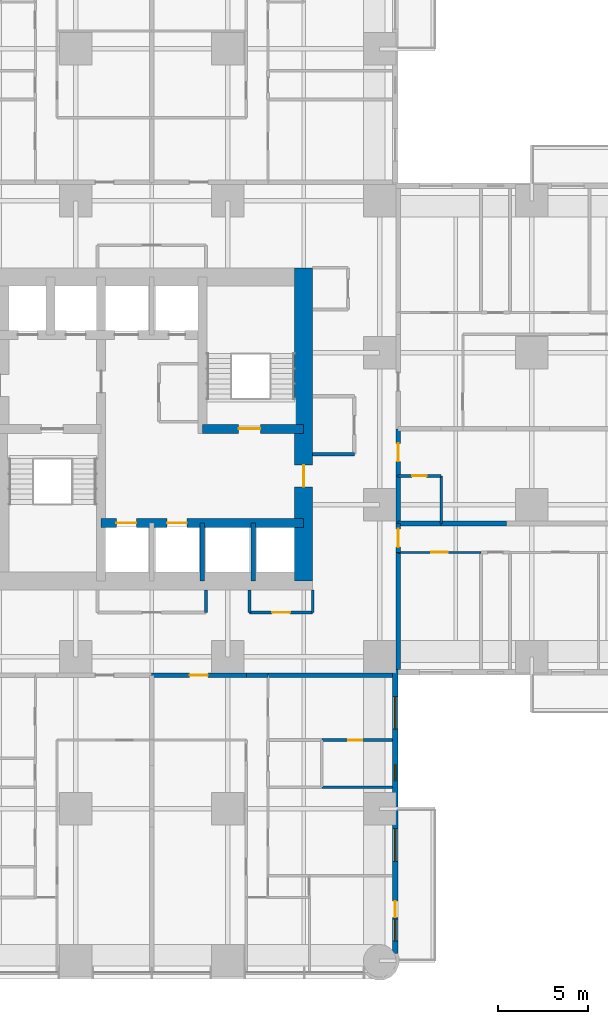
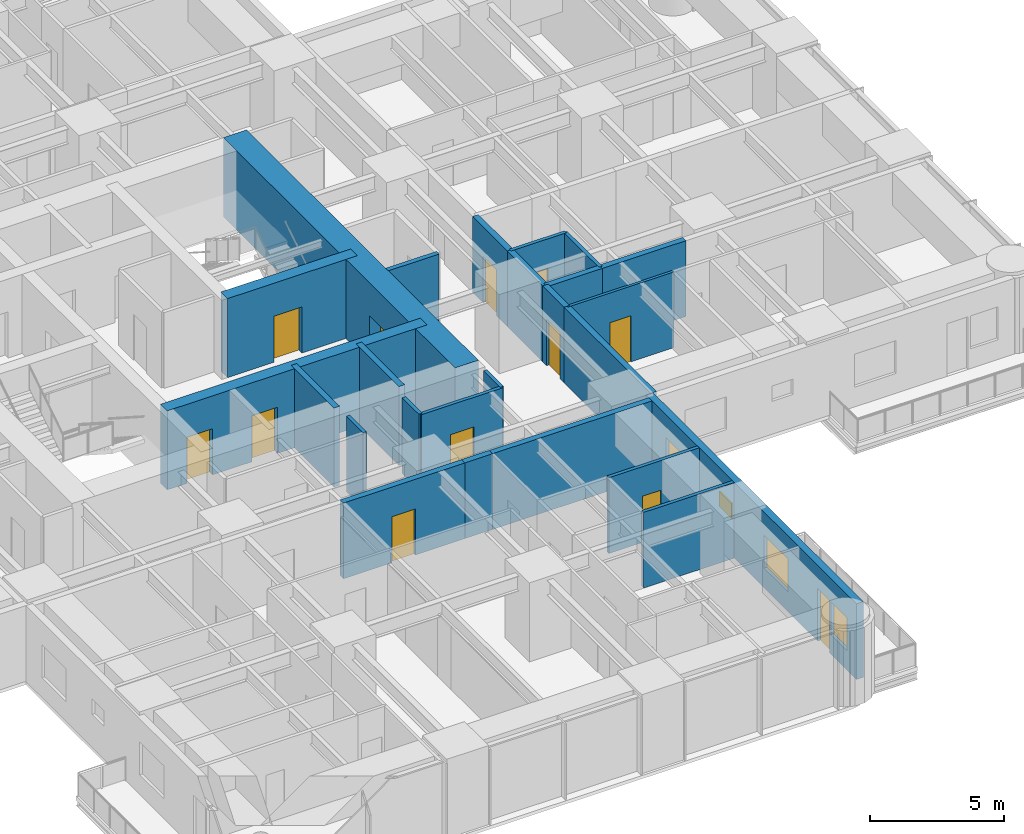
# One storey, part 10 of 17: 25 walls, 12 doors, 4 windows, 16 openings.
"""IFC4 building model written with IfcOpenShell, lengths in metres."""

from ifc_helpers import new_model, si_unit, direction, frame, frame_2d, origin, place, context, subcontext, project, spatial, rectangle, extrude, material, layer, layer_set, type_object, element, fill, save


model = new_model("IFC4")

# Units and contexts
model_context = context("Model", 3, precision=1e-05, world=origin(), true_north=direction((0.0, 1.0)))
body_context = subcontext(model_context, "Body", "Model", "MODEL_VIEW")
ifc_project = project(units=[si_unit("LENGTHUNIT", "METRE"), si_unit("AREAUNIT", "SQUARE_METRE"), si_unit("VOLUMEUNIT", "CUBIC_METRE"), si_unit("PLANEANGLEUNIT", "RADIAN"), si_unit("MASSUNIT", "GRAM", prefix="KILO")], contexts=[model_context])

# Site, building, storey
site_placement = place(None, origin())
site = spatial("IfcSite", under=ifc_project, at=site_placement, CompositionType="ELEMENT")
building_placement = place(site_placement, origin())
building = spatial("IfcBuilding", under=site, at=building_placement, Name="Torre Alcanfor", CompositionType="ELEMENT")
storey_placement = place(building_placement, frame((0.0, 0.0, 56.10009765625)))
storey = spatial("IfcBuildingStorey", under=building, at=storey_placement, Name="L13", CompositionType="ELEMENT", Elevation=56.10009765625)

# Wall, opening, door
ifc_material_1 = material(Name="Concrete block masonry, hollow blocks NMX-C-404 9 MPa", Category="masonry")
ifc_layer_1 = layer(ifc_material_1, 0.25)
ifc_layer_set_1 = layer_set([ifc_layer_1], Name="Apartment entrance wall 250 EI 60")
wall_type_1 = type_object("IfcWallType", Name="Apartment entrance wall 250 EI 60", PredefinedType="PARTITIONING", material=ifc_layer_set_1)
wall_1_placement = place(storey_placement, frame((43.02490234375, 29.39990234375, 0.0), z_axis=(0.0, 0.0, 1.0), x_axis=(0.0, -1.0, 0.0)))
wall_1 = element("IfcWall", 1, at=wall_1_placement, inside=storey, type_object=wall_type_1, Name="Partition L13-CORR / L13-E2A-FOYER", PredefinedType="PARTITIONING", context=body_context, shape_type="SweptSolid", body=[
    extrude(rectangle(XDim=2.599853515625, YDim=0.25, at=frame_2d((1.2998046875, 0.0))), origin(), (0.0, 0.0, 1.0), 3.449951171875),
])
opening_1_placement = place(wall_1_placement, frame((0.800048828125, 0.0, 0.0)))
opening_1 = element("IfcOpeningElement", 2, at=opening_1_placement, cuts=wall_1, Name="Opening D-A1", PredefinedType="OPENING", context=body_context, shape_type="SweptSolid", body=[
    extrude(rectangle(XDim=1.0, YDim=2.10009765625, at=frame_2d((0.5, 1.050048828125))), frame((0.0, 0.135009765625, 0.0), z_axis=(0.0, -1.0, 0.0), x_axis=(1.0, 0.0, 0.0)), (0.0, 0.0, 1.0), 0.27001953125),
])
ifc_material_2 = material(Name="Galvanised steel sheet ASTM A653", Category="steel")
door_type_1 = type_object("IfcDoorType", Name="Apartment entrance door FD60 1000x2100", OperationType="SINGLE_SWING_LEFT", PredefinedType="DOOR", material=ifc_material_2)
door_1_placement = place(opening_1_placement, origin())
door_1 = element("IfcDoor", 3, at=door_1_placement, inside=storey, type_object=door_type_1, Name="Apartment entrance L13-E2A", OperationType="SINGLE_SWING_LEFT", OverallHeight=2.10009765625, OverallWidth=1.0, PredefinedType="DOOR", context=body_context, shape_type="SweptSolid", body=[
    extrude(rectangle(XDim=1.0, YDim=2.10009765625, at=frame_2d((0.5, 1.050048828125))), frame((0.0, 0.02490234375, 0.0), z_axis=(0.0, -1.0, 0.0), x_axis=(1.0, 0.0, 0.0)), (0.0, 0.0, 1.0), 0.050048828125),
])
fill(opening_1, door_1)

# Wall
wall_2_placement = place(storey_placement, frame((43.02490234375, 26.800048828125, 0.0), z_axis=(0.0, 0.0, 1.0), x_axis=(0.0, -1.0, 0.0)))
element("IfcWall", 4, at=wall_2_placement, inside=storey, type_object=wall_type_1, Name="Partition L13-CORR / L13-E2A-BATH", PredefinedType="PARTITIONING", context=body_context, shape_type="SweptSolid", body=[
    extrude(rectangle(XDim=2.629150390625, YDim=0.25, at=frame_2d((1.314453125, 0.0))), origin(), (0.0, 0.0, 1.0), 3.449951171875),
])

# Wall, opening, door
wall_3_placement = place(storey_placement, frame((43.02490234375, 24.1708984375, 0.0), z_axis=(0.0, 0.0, 1.0), x_axis=(0.0, -1.0, 0.0)))
wall_3 = element("IfcWall", 5, at=wall_3_placement, inside=storey, type_object=wall_type_1, Name="Partition L13-CORR / L13-E2B-HALL", PredefinedType="PARTITIONING", context=body_context, shape_type="SweptSolid", body=[
    extrude(rectangle(XDim=1.599853515625, YDim=0.25, at=frame_2d((0.7998046875, 0.0))), origin(), (0.0, 0.0, 1.0), 3.449951171875),
])
opening_2_placement = place(wall_3_placement, frame((0.300048828125, 0.0, 0.0)))
opening_2 = element("IfcOpeningElement", 6, at=opening_2_placement, cuts=wall_3, Name="Opening D-A1", PredefinedType="OPENING", context=body_context, shape_type="SweptSolid", body=[
    extrude(rectangle(XDim=1.0, YDim=2.10009765625, at=frame_2d((0.5, 1.050048828125))), frame((0.0, 0.135009765625, 0.0), z_axis=(0.0, -1.0, 0.0), x_axis=(1.0, 0.0, 0.0)), (0.0, 0.0, 1.0), 0.27001953125),
])
door_2_placement = place(opening_2_placement, origin())
door_2 = element("IfcDoor", 7, at=door_2_placement, inside=storey, type_object=door_type_1, Name="Apartment entrance L13-E2B", OperationType="SINGLE_SWING_LEFT", OverallHeight=2.10009765625, OverallWidth=1.0, PredefinedType="DOOR", context=body_context, shape_type="SweptSolid", body=[
    extrude(rectangle(XDim=1.0, YDim=2.10009765625, at=frame_2d((0.5, 1.050048828125))), frame((0.0, 0.02490234375, 0.0), z_axis=(0.0, -1.0, 0.0), x_axis=(1.0, 0.0, 0.0)), (0.0, 0.0, 1.0), 0.050048828125),
])
fill(opening_2, door_2)

# Wall
wall_4_placement = place(storey_placement, frame((43.02490234375, 22.571044921875, 0.0), z_axis=(0.0, 0.0, 1.0), x_axis=(0.0, -1.0, 0.0)))
element("IfcWall", 8, at=wall_4_placement, inside=storey, type_object=wall_type_1, Name="Partition L13-CORR / L13-E2B-BED2", PredefinedType="PARTITIONING", context=body_context, shape_type="SweptSolid", body=[
    extrude(rectangle(XDim=6.470947265625, YDim=0.25, at=frame_2d((3.2353515625, 0.0))), origin(), (0.0, 0.0, 1.0), 3.449951171875),
])

# Wall, opening, door
wall_5_placement = place(storey_placement, frame((34.62890625, 15.77490234375, 0.0), z_axis=(0.0, 0.0, 1.0), x_axis=(-1.0, 0.0, 0.0)))
wall_5 = element("IfcWall", 9, at=wall_5_placement, inside=storey, type_object=wall_type_1, Name="Partition L13-CORR / L13-S1-ZAG", PredefinedType="PARTITIONING", context=body_context, shape_type="SweptSolid", body=[
    extrude(rectangle(XDim=5.22900390625, YDim=0.25, at=frame_2d((2.614501953125, 0.0))), origin(), (0.0, 0.0, 1.0), 3.449951171875),
])
opening_3_placement = place(wall_5_placement, frame((2.12890625, 0.0, 0.0)))
opening_3 = element("IfcOpeningElement", 10, at=opening_3_placement, cuts=wall_5, Name="Opening D-A1", PredefinedType="OPENING", context=body_context, shape_type="SweptSolid", body=[
    extrude(rectangle(XDim=1.0, YDim=2.10009765625, at=frame_2d((0.5, 1.050048828125))), frame((0.0, 0.135009765625, 0.0), z_axis=(0.0, -1.0, 0.0), x_axis=(1.0, 0.0, 0.0)), (0.0, 0.0, 1.0), 0.27001953125),
])
door_3_placement = place(opening_3_placement, origin())
door_3 = element("IfcDoor", 11, at=door_3_placement, inside=storey, type_object=door_type_1, Name="Apartment entrance L13-S1", OperationType="SINGLE_SWING_RIGHT", OverallHeight=2.10009765625, OverallWidth=1.0, PredefinedType="DOOR", context=body_context, shape_type="SweptSolid", body=[
    extrude(rectangle(XDim=1.0, YDim=2.10009765625, at=frame_2d((0.5, 1.050048828125))), frame((0.0, 0.02490234375, 0.0), z_axis=(0.0, -1.0, 0.0), x_axis=(1.0, 0.0, 0.0)), (0.0, 0.0, 1.0), 0.050048828125),
])
fill(opening_3, door_3)

# Walls
wall_6_placement = place(storey_placement, frame((35.8291015625, 15.77490234375, 0.0), z_axis=(0.0, 0.0, 1.0), x_axis=(-1.0, 0.0, 0.0)))
element("IfcWall", 12, at=wall_6_placement, inside=storey, type_object=wall_type_1, Name="Partition L13-CORR / L13-S1-HALL", PredefinedType="PARTITIONING", context=body_context, shape_type="SweptSolid", body=[
    extrude(rectangle(XDim=1.2001953125, YDim=0.25, at=frame_2d((0.60009765625, 0.0))), origin(), (0.0, 0.0, 1.0), 3.449951171875),
])
wall_7_placement = place(storey_placement, frame((42.699951171875, 15.77490234375, 0.0), z_axis=(0.0, 0.0, 1.0), x_axis=(-1.0, 0.0, 0.0)))
element("IfcWall", 13, at=wall_7_placement, inside=storey, type_object=wall_type_1, Name="Partition L13-CORR / L13-S1-SERV", PredefinedType="PARTITIONING", context=body_context, shape_type="SweptSolid", body=[
    extrude(rectangle(XDim=6.870849609375, YDim=0.25, at=frame_2d((3.435546875, 0.0))), origin(), (0.0, 0.0, 1.0), 3.449951171875),
])

# Wall, opening, door
ifc_material_3 = material(Name="Gypsum board on steel studs", Category="steel")
ifc_layer_2 = layer(ifc_material_3, 0.1201171875)
ifc_layer_set_2 = layer_set([ifc_layer_2], Name="Apartment partition 120")
wall_type_2 = type_object("IfcWallType", Name="Apartment partition 120", PredefinedType="PARTITIONING", material=ifc_layer_set_2)
wall_8_placement = place(storey_placement, frame((47.60009765625, 22.571044921875, 0.0), z_axis=(0.0, 0.0, 1.0), x_axis=(-1.0, 0.0, 0.0)))
wall_8 = element("IfcWall", 14, at=wall_8_placement, inside=storey, type_object=wall_type_2, Name="Partition L13-E2B-HALL / L13-E2B-BED2", PredefinedType="PARTITIONING", context=body_context, shape_type="SweptSolid", body=[
    extrude(rectangle(XDim=4.5751953125, YDim=0.1201171875, at=frame_2d((2.28759765625, 0.0))), origin(), (0.0, 0.0, 1.0), 3.449951171875),
])
opening_4_placement = place(wall_8_placement, frame((1.85009765625, 0.0, 0.0)))
opening_4 = element("IfcOpeningElement", 15, at=opening_4_placement, cuts=wall_8, Name="Opening D-R1", PredefinedType="OPENING", context=body_context, shape_type="SweptSolid", body=[
    extrude(rectangle(XDim=0.89990234375, YDim=2.10009765625, at=frame_2d((0.449951171875, 1.050048828125))), frame((0.0, 0.070068359375, 0.0), z_axis=(0.0, -1.0, 0.0), x_axis=(1.0, 0.0, 0.0)), (0.0, 0.0, 1.0), 0.14013671875),
])
ifc_material_4 = material(Name="Timber", Category="wood")
door_type_2 = type_object("IfcDoorType", Name="Internal door 900x2100", OperationType="SINGLE_SWING_LEFT", PredefinedType="DOOR", material=ifc_material_4)
door_4_placement = place(opening_4_placement, origin())
door_4 = element("IfcDoor", 16, at=door_4_placement, inside=storey, type_object=door_type_2, Name="Door L13-E2B bed2", OperationType="SINGLE_SWING_RIGHT", OverallHeight=2.10009765625, OverallWidth=0.89990234375, PredefinedType="DOOR", context=body_context, shape_type="SweptSolid", body=[
    extrude(rectangle(XDim=0.89990234375, YDim=2.10009765625, at=frame_2d((0.449951171875, 1.050048828125))), frame((0.0, 0.02490234375, 0.0), z_axis=(0.0, -1.0, 0.0), x_axis=(1.0, 0.0, 0.0)), (0.0, 0.0, 1.0), 0.050048828125),
])
fill(opening_4, door_4)

# Wall, openings, doors
ifc_material_5 = material(Name="Concrete f'c 70 MPa", Category="concrete")
ifc_layer_3 = layer(ifc_material_5, 0.5)
ifc_layer_set_3 = layer_set([ifc_layer_3], Name="Core inner wall 500 f'c70")
wall_type_3 = type_object("IfcWallType", Name="Core inner wall 500 f'c70", PredefinedType="SHEAR", material=ifc_layer_set_3)
wall_9_placement = place(storey_placement, frame((26.60009765625, 24.199951171875, 0.0), z_axis=(0.0, 0.0, 1.0), x_axis=(1.0, 0.0, 0.0)))
wall_9 = element("IfcWall", 17, at=wall_9_placement, inside=storey, type_object=wall_type_3, Name="Core wall Y242 L13", PredefinedType="SHEAR", context=body_context, shape_type="SweptSolid", body=[
    extrude(rectangle(XDim=11.199951171875, YDim=0.5, at=frame_2d((5.60009765625, 0.0))), origin(), (0.0, 0.0, 1.0), 3.599853515625),
])
opening_5_placement = place(wall_9_placement, frame((0.85009765625, 0.0, 0.0)))
opening_5 = element("IfcOpeningElement", 18, at=opening_5_placement, cuts=wall_9, Name="Opening LD1", PredefinedType="OPENING", context=body_context, shape_type="SweptSolid", body=[
    extrude(rectangle(XDim=1.10009765625, YDim=2.10009765625, at=frame_2d((0.550048828125, 1.050048828125))), frame((0.0, 0.260009765625, 0.0), z_axis=(0.0, -1.0, 0.0), x_axis=(1.0, 0.0, 0.0)), (0.0, 0.0, 1.0), 0.52001953125),
])
opening_6_placement = place(wall_9_placement, frame((3.64990234375, 0.0, 0.0)))
opening_6 = element("IfcOpeningElement", 19, at=opening_6_placement, cuts=wall_9, Name="Opening LD1", PredefinedType="OPENING", context=body_context, shape_type="SweptSolid", body=[
    extrude(rectangle(XDim=1.10009765625, YDim=2.10009765625, at=frame_2d((0.550048828125, 1.050048828125))), frame((0.0, 0.260009765625, 0.0), z_axis=(0.0, -1.0, 0.0), x_axis=(1.0, 0.0, 0.0)), (0.0, 0.0, 1.0), 0.52001953125),
])
ifc_material_6 = material(Name="Galvanised steel sheet ASTM A653", Category="steel")
door_type_3 = type_object("IfcDoorType", Name="Lift landing door 1100x2100", OperationType="DOUBLE_DOOR_SLIDING", PredefinedType="DOOR", material=ifc_material_6)
door_5_placement = place(opening_5_placement, origin())
door_5 = element("IfcDoor", 20, at=door_5_placement, inside=storey, type_object=door_type_3, Name="Lift landing door PA1 L13", OperationType="DOUBLE_DOOR_SLIDING", OverallHeight=2.10009765625, OverallWidth=1.10009765625, PredefinedType="DOOR", context=body_context, shape_type="SweptSolid", body=[
    extrude(rectangle(XDim=1.10009765625, YDim=2.10009765625, at=frame_2d((0.550048828125, 1.050048828125))), frame((0.0, 0.02490234375, 0.0), z_axis=(0.0, -1.0, 0.0), x_axis=(1.0, 0.0, 0.0)), (0.0, 0.0, 1.0), 0.050048828125),
])
fill(opening_5, door_5)
door_6_placement = place(opening_6_placement, origin())
door_6 = element("IfcDoor", 21, at=door_6_placement, inside=storey, type_object=door_type_3, Name="Lift landing door PA2 L13", OperationType="DOUBLE_DOOR_SLIDING", OverallHeight=2.10009765625, OverallWidth=1.10009765625, PredefinedType="DOOR", context=body_context, shape_type="SweptSolid", body=[
    extrude(rectangle(XDim=1.10009765625, YDim=2.10009765625, at=frame_2d((0.550048828125, 1.050048828125))), frame((0.0, 0.02490234375, 0.0), z_axis=(0.0, -1.0, 0.0), x_axis=(1.0, 0.0, 0.0)), (0.0, 0.0, 1.0), 0.050048828125),
])
fill(opening_6, door_6)

# Wall, opening, door
wall_10_placement = place(storey_placement, frame((32.199951171875, 29.39990234375, 0.0), z_axis=(0.0, 0.0, 1.0), x_axis=(1.0, 0.0, 0.0)))
wall_10 = element("IfcWall", 22, at=wall_10_placement, inside=storey, type_object=wall_type_3, Name="Core wall Y294E L13", PredefinedType="SHEAR", context=body_context, shape_type="SweptSolid", body=[
    extrude(rectangle(XDim=5.60009765625, YDim=0.5, at=frame_2d((2.800048828125, 0.0))), origin(), (0.0, 0.0, 1.0), 3.599853515625),
])
opening_7_placement = place(wall_10_placement, frame((2.0, 0.0, 0.0)))
opening_7 = element("IfcOpeningElement", 23, at=opening_7_placement, cuts=wall_10, Name="Opening D-S2", PredefinedType="OPENING", context=body_context, shape_type="SweptSolid", body=[
    extrude(rectangle(XDim=1.199951171875, YDim=2.10009765625, at=frame_2d((0.60009765625, 1.050048828125))), frame((0.0, 0.260009765625, 0.0), z_axis=(0.0, -1.0, 0.0), x_axis=(1.0, 0.0, 0.0)), (0.0, 0.0, 1.0), 0.52001953125),
])
ifc_material_7 = material(Name="Galvanised steel sheet ASTM A653", Category="steel")
door_type_4 = type_object("IfcDoorType", Name="Stair enclosure door FD120 1200x2100", OperationType="SINGLE_SWING_LEFT", PredefinedType="DOOR", material=ifc_material_7)
door_7_placement = place(opening_7_placement, origin())
door_7 = element("IfcDoor", 24, at=door_7_placement, inside=storey, type_object=door_type_4, Name="Stair S2 door L13", OperationType="SINGLE_SWING_LEFT", OverallHeight=2.10009765625, OverallWidth=1.199951171875, PredefinedType="DOOR", context=body_context, shape_type="SweptSolid", body=[
    extrude(rectangle(XDim=1.199951171875, YDim=2.10009765625, at=frame_2d((0.60009765625, 1.050048828125))), frame((0.0, 0.02490234375, 0.0), z_axis=(0.0, -1.0, 0.0), x_axis=(1.0, 0.0, 0.0)), (0.0, 0.0, 1.0), 0.050048828125),
])
fill(opening_7, door_7)

# Walls
ifc_material_8 = material(Name="Concrete f'c 70 MPa", Category="concrete")
ifc_layer_4 = layer(ifc_material_8, 0.25)
ifc_layer_set_4 = layer_set([ifc_layer_4], Name="Core shaft wall 250 f'c70")
wall_type_4 = type_object("IfcWallType", Name="Core shaft wall 250 f'c70", PredefinedType="SHEAR", material=ifc_layer_set_4)
for number, where, z_axis, x_axis, name in (
    (25, (32.199951171875, 21.0, 0.0), (0.0, 0.0, 1.0), (0.0, 1.0, 0.0), "Core wall X322S L13"),
    (26, (35.0, 21.0, 0.0), (0.0, 0.0, 1.0), (0.0, 1.0, 0.0), "Core wall X350S L13"),
):
    element("IfcWall", number, at=place(storey_placement, frame(where, z_axis=z_axis, x_axis=x_axis)), inside=storey, type_object=wall_type_4, Name=name, PredefinedType="SHEAR", context=body_context, shape_type="SweptSolid", body=[
        extrude(rectangle(XDim=3.199951171875, YDim=0.25, at=frame_2d((1.60009765625, 0.0))), origin(), (0.0, 0.0, 1.0), 3.599853515625),
    ])

# Wall, opening, door
ifc_material_9 = material(Name="Concrete f'c 70 MPa", Category="concrete")
ifc_layer_5 = layer(ifc_material_9, 1.0)
ifc_layer_set_5 = layer_set([ifc_layer_5], Name="Core wall 1000 f'c70")
wall_type_5 = type_object("IfcWallType", Name="Core wall 1000 f'c70", PredefinedType="SHEAR", material=ifc_layer_set_5)
wall_11_placement = place(storey_placement, frame((37.800048828125, 21.0, 0.0), z_axis=(0.0, 0.0, 1.0), x_axis=(0.0, 1.0, 0.0)))
wall_11 = element("IfcWall", 27, at=wall_11_placement, inside=storey, type_object=wall_type_5, Name="Core wall OUT-E L13", PredefinedType="SHEAR", context=body_context, shape_type="SweptSolid", body=[
    extrude(rectangle(XDim=17.300048828125, YDim=1.0, at=frame_2d((8.64990234375, 0.0))), origin(), (0.0, 0.0, 1.0), 3.599853515625),
])
opening_8_placement = place(wall_11_placement, frame((5.199951171875, 0.0, 0.0)))
opening_8 = element("IfcOpeningElement", 28, at=opening_8_placement, cuts=wall_11, Name="Opening D-L1", PredefinedType="OPENING", context=body_context, shape_type="SweptSolid", body=[
    extrude(rectangle(XDim=1.199951171875, YDim=2.10009765625, at=frame_2d((0.60009765625, 1.050048828125))), frame((0.0, 0.510009765625, 0.0), z_axis=(0.0, -1.0, 0.0), x_axis=(1.0, 0.0, 0.0)), (0.0, 0.0, 1.0), 1.02001953125),
])
ifc_material_10 = material(Name="Galvanised steel sheet ASTM A653", Category="steel")
door_type_5 = type_object("IfcDoorType", Name="Lobby door FD120 1200x2100", OperationType="SINGLE_SWING_LEFT", PredefinedType="DOOR", material=ifc_material_10)
door_8_placement = place(opening_8_placement, origin())
door_8 = element("IfcDoor", 29, at=door_8_placement, inside=storey, type_object=door_type_5, Name="Lift lobby entrance door L13", OperationType="SINGLE_SWING_LEFT", OverallHeight=2.10009765625, OverallWidth=1.199951171875, PredefinedType="DOOR", context=body_context, shape_type="SweptSolid", body=[
    extrude(rectangle(XDim=1.199951171875, YDim=2.10009765625, at=frame_2d((0.60009765625, 1.050048828125))), frame((0.0, 0.02490234375, 0.0), z_axis=(0.0, -1.0, 0.0), x_axis=(1.0, 0.0, 0.0)), (0.0, 0.0, 1.0), 0.050048828125),
])
fill(opening_8, door_8)

# Wall, openings, door, windows
ifc_material_11 = material(Name="Limestone cladding", Category="masonry")
ifc_layer_6 = layer(ifc_material_11, 0.0400390625, Name="Facing")
ifc_material_12 = material(Name="Ventilated air cavity")
ifc_layer_7 = layer(ifc_material_12, 0.02001953125, ventilated=True, Name="Ventilated joint")
ifc_material_13 = material(Name="Mineral wool insulation", Category="insulation")
ifc_layer_8 = layer(ifc_material_13, 0.10009765625, Name="Insulation")
ifc_material_14 = material(Name="Concrete f'c 35 MPa", Category="concrete")
ifc_layer_9 = layer(ifc_material_14, 0.139892578125, Name="Backing")
ifc_layer_set_6 = layer_set([ifc_layer_6, ifc_layer_7, ifc_layer_8, ifc_layer_9], Name="External wall stone-clad 300")
wall_type_6 = type_object("IfcWallType", Name="External wall stone-clad 300", PredefinedType="SOLIDWALL", material=ifc_layer_set_6)
wall_12_placement = place(storey_placement, frame((42.85009765625, 0.39990234375, 0.0), z_axis=(0.0, 0.0, 1.0), x_axis=(0.0, 1.0, 0.0)))
wall_12 = element("IfcWall", 30, at=wall_12_placement, inside=storey, type_object=wall_type_6, Name="External wall L13 6", PredefinedType="SOLIDWALL", context=body_context, shape_type="SweptSolid", body=[
    extrude(rectangle(XDim=15.7001953125, YDim=0.300048828125, at=frame_2d((7.85009765625, 0.0))), origin(), (0.0, 0.0, 1.0), 3.449951171875),
])
opening_9_placement = place(wall_12_placement, frame((12.39990234375, 0.0, 0.89990234375)))
opening_9 = element("IfcOpeningElement", 31, at=opening_9_placement, cuts=wall_12, Name="Opening W2", PredefinedType="OPENING", context=body_context, shape_type="SweptSolid", body=[
    extrude(rectangle(XDim=1.800048828125, YDim=1.5, at=frame_2d((0.89990234375, 0.75))), frame((0.0, 0.159912109375, 0.0), z_axis=(0.0, -1.0, 0.0), x_axis=(1.0, 0.0, 0.0)), (0.0, 0.0, 1.0), 0.320068359375),
])
opening_10_placement = place(wall_12_placement, frame((9.550048828125, 0.0, 1.5)))
opening_10 = element("IfcOpeningElement", 32, at=opening_10_placement, cuts=wall_12, Name="Opening W3", PredefinedType="OPENING", context=body_context, shape_type="SweptSolid", body=[
    extrude(rectangle(XDim=0.89990234375, YDim=0.699951171875, at=frame_2d((0.449951171875, 0.35009765625))), frame((0.0, 0.159912109375, 0.0), z_axis=(0.0, -1.0, 0.0), x_axis=(1.0, 0.0, 0.0)), (0.0, 0.0, 1.0), 0.320068359375),
])
opening_11_placement = place(wall_12_placement, frame((5.10009765625, 0.0, 0.89990234375)))
opening_11 = element("IfcOpeningElement", 33, at=opening_11_placement, cuts=wall_12, Name="Opening W2", PredefinedType="OPENING", context=body_context, shape_type="SweptSolid", body=[
    extrude(rectangle(XDim=1.800048828125, YDim=1.5, at=frame_2d((0.89990234375, 0.75))), frame((0.0, 0.159912109375, 0.0), z_axis=(0.0, -1.0, 0.0), x_axis=(1.0, 0.0, 0.0)), (0.0, 0.0, 1.0), 0.320068359375),
])
opening_12_placement = place(wall_12_placement, frame((2.0, 0.0, 0.0)))
opening_12 = element("IfcOpeningElement", 34, at=opening_12_placement, cuts=wall_12, Name="Opening D-B1", PredefinedType="OPENING", context=body_context, shape_type="SweptSolid", body=[
    extrude(rectangle(XDim=0.89990234375, YDim=2.39990234375, at=frame_2d((0.449951171875, 1.199951171875))), frame((0.0, 0.159912109375, 0.0), z_axis=(0.0, -1.0, 0.0), x_axis=(1.0, 0.0, 0.0)), (0.0, 0.0, 1.0), 0.320068359375),
])
opening_13_placement = place(wall_12_placement, frame((0.699951171875, 0.0, 0.89990234375)))
opening_13 = element("IfcOpeningElement", 35, at=opening_13_placement, cuts=wall_12, Name="Opening W4", PredefinedType="OPENING", context=body_context, shape_type="SweptSolid", body=[
    extrude(rectangle(XDim=1.199951171875, YDim=1.5, at=frame_2d((0.60009765625, 0.75))), frame((0.0, 0.159912109375, 0.0), z_axis=(0.0, -1.0, 0.0), x_axis=(1.0, 0.0, 0.0)), (0.0, 0.0, 1.0), 0.320068359375),
])
ifc_material_15 = material(Name="Aluminium and glass", Category="aluminium")
door_type_6 = type_object("IfcDoorType", Name="Balcony door glazed 900x2400", OperationType="SINGLE_SWING_LEFT", PredefinedType="DOOR", material=ifc_material_15)
door_9_placement = place(opening_12_placement, origin())
door_9 = element("IfcDoor", 36, at=door_9_placement, inside=storey, type_object=door_type_6, Name="Balcony door L13-S1", OperationType="SINGLE_SWING_RIGHT", OverallHeight=2.39990234375, OverallWidth=0.89990234375, PredefinedType="DOOR", context=body_context, shape_type="SweptSolid", body=[
    extrude(rectangle(XDim=0.89990234375, YDim=2.39990234375, at=frame_2d((0.449951171875, 1.199951171875))), frame((0.0, 0.02490234375, 0.0), z_axis=(0.0, -1.0, 0.0), x_axis=(1.0, 0.0, 0.0)), (0.0, 0.0, 1.0), 0.050048828125),
])
fill(opening_12, door_9)
ifc_material_16 = material(Name="Aluminium frame with clear double glazing", Category="aluminium")
window_type_1 = type_object("IfcWindowType", Name="Window bathroom 900x700", PartitioningType="SINGLE_PANEL", PredefinedType="WINDOW", material=ifc_material_16)
window_1_placement = place(opening_10_placement, origin())
window_1 = element("IfcWindow", 37, at=window_1_placement, inside=storey, type_object=window_type_1, Name="Window W3 L13-S1", OverallHeight=0.699951171875, OverallWidth=0.89990234375, PartitioningType="SINGLE_PANEL", PredefinedType="WINDOW", context=body_context, shape_type="SweptSolid", body=[
    extrude(rectangle(XDim=0.89990234375, YDim=0.699951171875, at=frame_2d((0.449951171875, 0.35009765625))), frame((0.0, 0.030029296875, 0.0), z_axis=(0.0, -1.0, 0.0), x_axis=(1.0, 0.0, 0.0)), (0.0, 0.0, 1.0), 0.06005859375),
])
fill(opening_10, window_1)
ifc_material_17 = material(Name="Aluminium frame with clear double glazing", Category="aluminium")
window_type_2 = type_object("IfcWindowType", Name="Window bedroom 1200x1500", PartitioningType="SINGLE_PANEL", PredefinedType="WINDOW", material=ifc_material_17)
window_2_placement = place(opening_13_placement, origin())
window_2 = element("IfcWindow", 38, at=window_2_placement, inside=storey, type_object=window_type_2, Name="Window W4 L13-S1", OverallHeight=1.5, OverallWidth=1.199951171875, PartitioningType="SINGLE_PANEL", PredefinedType="WINDOW", context=body_context, shape_type="SweptSolid", body=[
    extrude(rectangle(XDim=1.199951171875, YDim=1.5, at=frame_2d((0.60009765625, 0.75))), frame((0.0, 0.030029296875, 0.0), z_axis=(0.0, -1.0, 0.0), x_axis=(1.0, 0.0, 0.0)), (0.0, 0.0, 1.0), 0.06005859375),
])
fill(opening_13, window_2)
ifc_material_18 = material(Name="Aluminium frame with clear double glazing", Category="aluminium")
window_type_3 = type_object("IfcWindowType", Name="Window bedroom 1800x1500", PartitioningType="SINGLE_PANEL", PredefinedType="WINDOW", material=ifc_material_18)
window_3_placement = place(opening_9_placement, origin())
window_3 = element("IfcWindow", 39, at=window_3_placement, inside=storey, type_object=window_type_3, Name="Window W2 L13-S1", OverallHeight=1.5, OverallWidth=1.800048828125, PartitioningType="SINGLE_PANEL", PredefinedType="WINDOW", context=body_context, shape_type="SweptSolid", body=[
    extrude(rectangle(XDim=1.800048828125, YDim=1.5, at=frame_2d((0.89990234375, 0.75))), frame((0.0, 0.030029296875, 0.0), z_axis=(0.0, -1.0, 0.0), x_axis=(1.0, 0.0, 0.0)), (0.0, 0.0, 1.0), 0.06005859375),
])
fill(opening_9, window_3)
window_4_placement = place(opening_11_placement, origin())
window_4 = element("IfcWindow", 40, at=window_4_placement, inside=storey, type_object=window_type_3, Name="Window W2 L13-S1", OverallHeight=1.5, OverallWidth=1.800048828125, PartitioningType="SINGLE_PANEL", PredefinedType="WINDOW", context=body_context, shape_type="SweptSolid", body=[
    extrude(rectangle(XDim=1.800048828125, YDim=1.5, at=frame_2d((0.89990234375, 0.75))), frame((0.0, 0.030029296875, 0.0), z_axis=(0.0, -1.0, 0.0), x_axis=(1.0, 0.0, 0.0)), (0.0, 0.0, 1.0), 0.06005859375),
])
fill(opening_11, window_4)

# Walls
ifc_material_19 = material(Name="Concrete block masonry, hollow blocks NMX-C-404 9 MPa", Category="masonry")
ifc_layer_10 = layer(ifc_material_19, 0.25)
ifc_layer_set_7 = layer_set([ifc_layer_10], Name="Party wall 250 EI 60")
wall_type_7 = type_object("IfcWallType", Name="Party wall 250 EI 60", PredefinedType="PARTITIONING", material=ifc_layer_set_7)
wall_13_placement = place(storey_placement, frame((45.39990234375, 24.1708984375, 0.0), z_axis=(0.0, 0.0, 1.0), x_axis=(-1.0, 0.0, 0.0)))
element("IfcWall", 41, at=wall_13_placement, inside=storey, type_object=wall_type_7, Name="Partition L13-E2A-BATH / L13-E2B-HALL", PredefinedType="PARTITIONING", context=body_context, shape_type="SweptSolid", body=[
    extrude(rectangle(XDim=2.375, YDim=0.25, at=frame_2d((1.1875, 0.0))), origin(), (0.0, 0.0, 1.0), 3.449951171875),
])
wall_14_placement = place(storey_placement, frame((49.0, 24.1708984375, 0.0), z_axis=(0.0, 0.0, 1.0), x_axis=(-1.0, 0.0, 0.0)))
element("IfcWall", 42, at=wall_14_placement, inside=storey, type_object=wall_type_7, Name="Partition L13-E2A-KITCHEN / L13-E2B-HALL", PredefinedType="PARTITIONING", context=body_context, shape_type="SweptSolid", body=[
    extrude(rectangle(XDim=3.60009765625, YDim=0.25, at=frame_2d((1.800048828125, 0.0))), origin(), (0.0, 0.0, 1.0), 3.449951171875),
])
ifc_material_20 = material(Name="Concrete block masonry, hollow blocks NMX-C-404 9 MPa", Category="masonry")
ifc_layer_11 = layer(ifc_material_20, 0.199951171875)
ifc_layer_set_8 = layer_set([ifc_layer_11], Name="Plant room wall 200 EI 60")
wall_type_8 = type_object("IfcWallType", Name="Plant room wall 200 EI 60", PredefinedType="PARTITIONING", material=ifc_layer_set_8)
wall_15_placement = place(storey_placement, frame((38.300048828125, 28.0, 0.0), z_axis=(0.0, 0.0, 1.0), x_axis=(1.0, 0.0, 0.0)))
element("IfcWall", 43, at=wall_15_placement, inside=storey, type_object=wall_type_8, Name="Partition L13-CORR / L13-G02", PredefinedType="PARTITIONING", context=body_context, shape_type="SweptSolid", body=[
    extrude(rectangle(XDim=2.300048828125, YDim=0.199951171875, at=frame_2d((1.14990234375, 0.0))), origin(), (0.0, 0.0, 1.0), 3.449951171875),
])
ifc_material_21 = material(Name="Concrete block masonry, hollow blocks NMX-C-404 9 MPa", Category="masonry")
ifc_layer_12 = layer(ifc_material_21, 0.14990234375)
ifc_layer_set_9 = layer_set([ifc_layer_12], Name="Residents' room partition 150")
wall_type_9 = type_object("IfcWallType", Name="Residents' room partition 150", PredefinedType="PARTITIONING", material=ifc_layer_set_9)
for number, where, z_axis, x_axis, name in (
    (44, (32.39990234375, 19.25, 0.0), (0.0, 0.0, 1.0), (0.0, 1.0, 0.0), "Partition L13-CORR / L13-G04"),
    (45, (34.800048828125, 20.5, 0.0), (0.0, 0.0, 1.0), (0.0, -1.0, 0.0), "Partition L13-CORR / L13-G05"),
):
    element("IfcWall", number, at=place(storey_placement, frame(where, z_axis=z_axis, x_axis=x_axis)), inside=storey, type_object=wall_type_9, Name=name, PredefinedType="PARTITIONING", context=body_context, shape_type="SweptSolid", body=[
        extrude(rectangle(XDim=1.25, YDim=0.14990234375, at=frame_2d((0.625, 0.0))), origin(), (0.0, 0.0, 1.0), 3.449951171875),
    ])

# Wall, opening, door
wall_16_placement = place(storey_placement, frame((34.800048828125, 19.25, 0.0), z_axis=(0.0, 0.0, 1.0), x_axis=(1.0, 0.0, 0.0)))
wall_16 = element("IfcWall", 46, at=wall_16_placement, inside=storey, type_object=wall_type_9, Name="Partition L13-CORR / L13-G05", PredefinedType="PARTITIONING", context=body_context, shape_type="SweptSolid", body=[
    extrude(rectangle(XDim=3.5, YDim=0.14990234375, at=frame_2d((1.75, 0.0))), origin(), (0.0, 0.0, 1.0), 3.449951171875),
])
opening_14_placement = place(wall_16_placement, frame((1.25, 0.0, 0.0)))
opening_14 = element("IfcOpeningElement", 47, at=opening_14_placement, cuts=wall_16, Name="Opening D-M1", PredefinedType="OPENING", context=body_context, shape_type="SweptSolid", body=[
    extrude(rectangle(XDim=1.0, YDim=2.10009765625, at=frame_2d((0.5, 1.050048828125))), frame((0.0, 0.0849609375, 0.0), z_axis=(0.0, -1.0, 0.0), x_axis=(1.0, 0.0, 0.0)), (0.0, 0.0, 1.0), 0.169921875),
])
ifc_material_22 = material(Name="Timber", Category="wood")
door_type_7 = type_object("IfcDoorType", Name="Residents' room door 1000x2100", OperationType="SINGLE_SWING_LEFT", PredefinedType="DOOR", material=ifc_material_22)
door_10_placement = place(opening_14_placement, origin())
door_10 = element("IfcDoor", 48, at=door_10_placement, inside=storey, type_object=door_type_7, Name="Door L13-G05 residents' storage lockers", OperationType="SINGLE_SWING_LEFT", OverallHeight=2.10009765625, OverallWidth=1.0, PredefinedType="DOOR", context=body_context, shape_type="SweptSolid", body=[
    extrude(rectangle(XDim=1.0, YDim=2.10009765625, at=frame_2d((0.5, 1.050048828125))), frame((0.0, 0.02490234375, 0.0), z_axis=(0.0, -1.0, 0.0), x_axis=(1.0, 0.0, 0.0)), (0.0, 0.0, 1.0), 0.050048828125),
])
fill(opening_14, door_10)

# Wall
wall_17_placement = place(storey_placement, frame((38.300048828125, 19.25, 0.0), z_axis=(0.0, 0.0, 1.0), x_axis=(0.0, 1.0, 0.0)))
element("IfcWall", 49, at=wall_17_placement, inside=storey, type_object=wall_type_9, Name="Partition L13-CORR / L13-G05", PredefinedType="PARTITIONING", context=body_context, shape_type="SweptSolid", body=[
    extrude(rectangle(XDim=1.25, YDim=0.14990234375, at=frame_2d((0.625, 0.0))), origin(), (0.0, 0.0, 1.0), 3.449951171875),
])

# Wall, opening, door
ifc_material_23 = material(Name="Cement board on steel studs", Category="steel")
ifc_layer_13 = layer(ifc_material_23, 0.14990234375)
ifc_layer_set_10 = layer_set([ifc_layer_13], Name="Wet area partition 150")
wall_type_10 = type_object("IfcWallType", Name="Wet area partition 150", PredefinedType="PARTITIONING", material=ifc_layer_set_10)
wall_18_placement = place(storey_placement, frame((45.39990234375, 26.800048828125, 0.0), z_axis=(0.0, 0.0, 1.0), x_axis=(-1.0, 0.0, 0.0)))
wall_18 = element("IfcWall", 50, at=wall_18_placement, inside=storey, type_object=wall_type_10, Name="Partition L13-E2A-FOYER / L13-E2A-BATH", PredefinedType="PARTITIONING", context=body_context, shape_type="SweptSolid", body=[
    extrude(rectangle(XDim=2.375, YDim=0.14990234375, at=frame_2d((1.1875, 0.0))), origin(), (0.0, 0.0, 1.0), 3.449951171875),
])
opening_15_placement = place(wall_18_placement, frame((0.800048828125, 0.0, 0.0)))
opening_15 = element("IfcOpeningElement", 51, at=opening_15_placement, cuts=wall_18, Name="Opening D-R2", PredefinedType="OPENING", context=body_context, shape_type="SweptSolid", body=[
    extrude(rectangle(XDim=0.800048828125, YDim=2.10009765625, at=frame_2d((0.39990234375, 1.050048828125))), frame((0.0, 0.0849609375, 0.0), z_axis=(0.0, -1.0, 0.0), x_axis=(1.0, 0.0, 0.0)), (0.0, 0.0, 1.0), 0.169921875),
])
ifc_material_24 = material(Name="Timber", Category="wood")
door_type_8 = type_object("IfcDoorType", Name="Bathroom door 800x2100", OperationType="SINGLE_SWING_LEFT", PredefinedType="DOOR", material=ifc_material_24)
door_11_placement = place(opening_15_placement, origin())
door_11 = element("IfcDoor", 52, at=door_11_placement, inside=storey, type_object=door_type_8, Name="Door L13-E2A bath", OperationType="SINGLE_SWING_RIGHT", OverallHeight=2.10009765625, OverallWidth=0.800048828125, PredefinedType="DOOR", context=body_context, shape_type="SweptSolid", body=[
    extrude(rectangle(XDim=0.800048828125, YDim=2.10009765625, at=frame_2d((0.39990234375, 1.050048828125))), frame((0.0, 0.02490234375, 0.0), z_axis=(0.0, -1.0, 0.0), x_axis=(1.0, 0.0, 0.0)), (0.0, 0.0, 1.0), 0.050048828125),
])
fill(opening_15, door_11)

# Wall
wall_19_placement = place(storey_placement, frame((45.39990234375, 26.800048828125, 0.0), z_axis=(0.0, 0.0, 1.0), x_axis=(0.0, -1.0, 0.0)))
element("IfcWall", 53, at=wall_19_placement, inside=storey, type_object=wall_type_10, Name="Partition L13-E2A-BATH / L13-E2A-KITCHEN", PredefinedType="PARTITIONING", context=body_context, shape_type="SweptSolid", body=[
    extrude(rectangle(XDim=2.629150390625, YDim=0.14990234375, at=frame_2d((1.314453125, 0.0))), origin(), (0.0, 0.0, 1.0), 3.449951171875),
])

# Wall, opening, door
wall_20_placement = place(storey_placement, frame((38.800048828125, 12.199951171875, 0.0), z_axis=(0.0, 0.0, 1.0), x_axis=(1.0, 0.0, 0.0)))
wall_20 = element("IfcWall", 54, at=wall_20_placement, inside=storey, type_object=wall_type_10, Name="Partition L13-S1-SERV / L13-S1-SBATH", PredefinedType="PARTITIONING", context=body_context, shape_type="SweptSolid", body=[
    extrude(rectangle(XDim=3.89990234375, YDim=0.14990234375, at=frame_2d((1.949951171875, 0.0))), origin(), (0.0, 0.0, 1.0), 3.449951171875),
])
opening_16_placement = place(wall_20_placement, frame((1.449951171875, 0.0, 0.0)))
opening_16 = element("IfcOpeningElement", 55, at=opening_16_placement, cuts=wall_20, Name="Opening D-R2", PredefinedType="OPENING", context=body_context, shape_type="SweptSolid", body=[
    extrude(rectangle(XDim=0.800048828125, YDim=2.10009765625, at=frame_2d((0.39990234375, 1.050048828125))), frame((0.0, 0.0849609375, 0.0), z_axis=(0.0, -1.0, 0.0), x_axis=(1.0, 0.0, 0.0)), (0.0, 0.0, 1.0), 0.169921875),
])
door_12_placement = place(opening_16_placement, frame((0.800048828125, 0.0, 0.0), z_axis=(0.0, 0.0, 1.0), x_axis=(-1.0, 0.0, 0.0)))
door_12 = element("IfcDoor", 56, at=door_12_placement, inside=storey, type_object=door_type_8, Name="Door L13-S1 sbath", OperationType="SINGLE_SWING_RIGHT", OverallHeight=2.10009765625, OverallWidth=0.800048828125, PredefinedType="DOOR", context=body_context, shape_type="SweptSolid", body=[
    extrude(rectangle(XDim=0.800048828125, YDim=2.10009765625, at=frame_2d((0.400146484375, 1.050048828125))), frame((0.0, 0.025146484375, 0.0), z_axis=(0.0, -1.0, 0.0), x_axis=(1.0, 0.0, 0.0)), (0.0, 0.0, 1.0), 0.050048828125),
])
fill(opening_16, door_12)

# Wall
wall_21_placement = place(storey_placement, frame((38.800048828125, 9.60009765625, 0.0), z_axis=(0.0, 0.0, 1.0), x_axis=(1.0, 0.0, 0.0)))
element("IfcWall", 57, at=wall_21_placement, inside=storey, type_object=wall_type_10, Name="Partition L13-S1-SBATH / L13-S1-BED3", PredefinedType="PARTITIONING", context=body_context, shape_type="SweptSolid", body=[
    extrude(rectangle(XDim=3.89990234375, YDim=0.14990234375, at=frame_2d((1.949951171875, 0.0))), origin(), (0.0, 0.0, 1.0), 3.449951171875),
])

save(model, "model.ifc")
